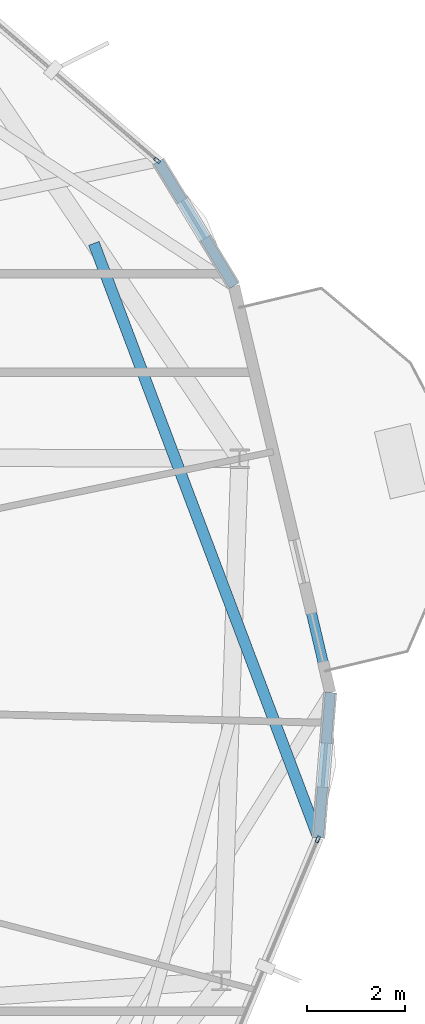
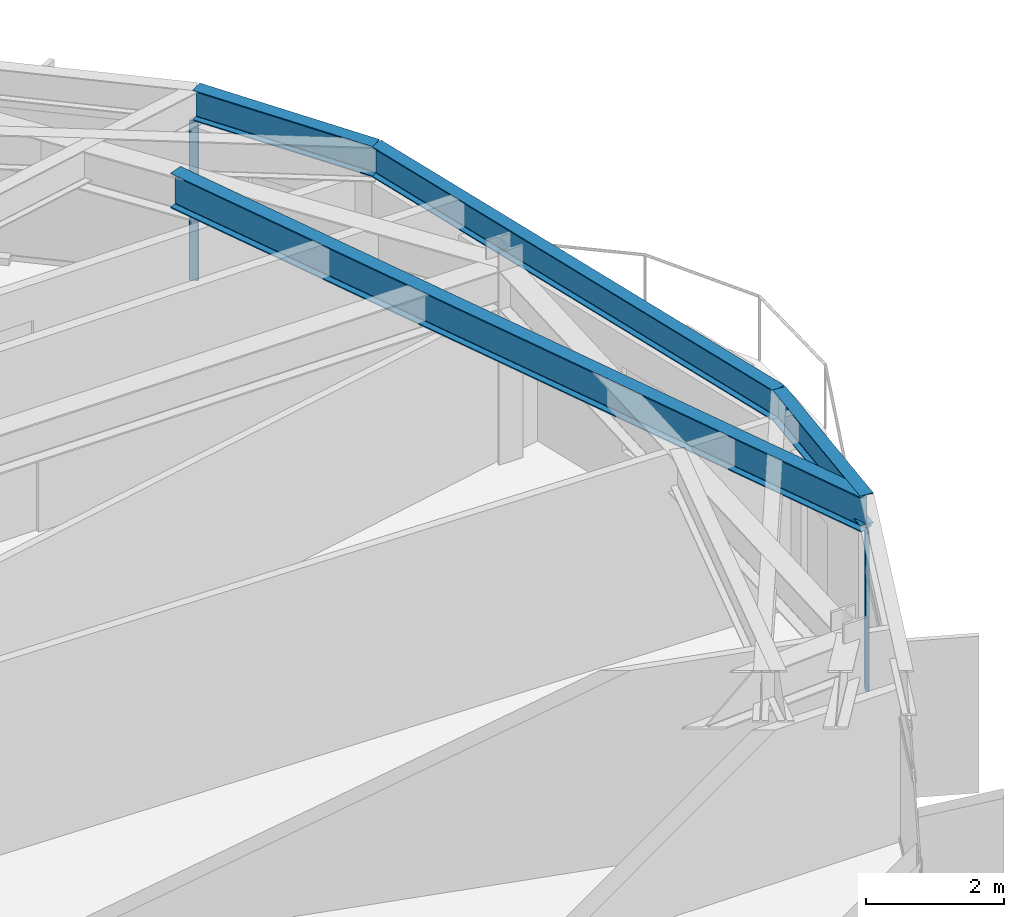
# One storey, part 12 of 23: 4 beams, 2 members, 2 elements without a shape of their own.
"""IFC4 building model written with IfcOpenShell, lengths in metres."""

from ifc_helpers import new_model, si_unit, direction, frame, origin, origin_2d, place, context, subcontext, project, spatial, hollow_rectangle, i_section, extrude, material, layer, layer_set, material_profile, profile_set, type_object, element, aggregate, save


model = new_model("IFC4")

# Units and contexts
model_context = context("Model", 3, precision=1e-05, world=origin(), true_north=direction((0.0, 1.0)))
body_context = subcontext(model_context, "Body", "Model", "MODEL_VIEW")
ifc_project = project(units=[si_unit("LENGTHUNIT", "METRE"), si_unit("AREAUNIT", "SQUARE_METRE"), si_unit("VOLUMEUNIT", "CUBIC_METRE"), si_unit("PLANEANGLEUNIT", "RADIAN"), si_unit("MASSUNIT", "GRAM", prefix="KILO")], contexts=[model_context])

# Site, building, storey
site_placement = place(None, origin())
site = spatial("IfcSite", under=ifc_project, at=site_placement, CompositionType="ELEMENT")
building_placement = place(site_placement, origin())
building = spatial("IfcBuilding", under=site, at=building_placement, Name="Soratama Intermodal Tower", CompositionType="ELEMENT")
storey_placement = place(building_placement, frame((0.0, 0.0, 280.0)))
storey = spatial("IfcBuildingStorey", under=building, at=storey_placement, Name="L71", CompositionType="ELEMENT", Elevation=280.0)

# Beams
ifc_material_1 = material(Name="Structural steel ASTM A992 Grade 50", Category="steel")
ifc_material_profile_1 = material_profile(ifc_material_1, i_section(OverallWidth=0.2099609375, OverallDepth=0.537109375, WebThickness=0.010986328125, FlangeThickness=0.017333984375, FilletRadius=0.012939453125, at=origin_2d()), Name="W21X68")
ifc_profile_set_1 = profile_set([ifc_material_profile_1], Name="Structural steel ASTM A992 Grade 50")
beam_type_1 = type_object("IfcBeamType", Name="BM-SPN-W21X68", PredefinedType="SPANDREL", material=ifc_profile_set_1)
beam_1_placement = place(storey_placement, frame((63.135986328125, 22.027099609375, 3.1416015625), z_axis=(0.081553869603, 0.99666893518, 0.0), x_axis=(-0.99666893518, 0.081553869603, 0.0)))
element("IfcBeam", 1, at=beam_1_placement, inside=storey, type_object=beam_type_1, Name="BS-L71-CRN08", PredefinedType="SPANDREL", context=body_context, shape_type="SweptSolid", body=[
    extrude(i_section(OverallWidth=0.2099609375, OverallDepth=0.537109375, WebThickness=0.010986328125, FlangeThickness=0.017333984375, FilletRadius=0.012939453125, at=origin_2d()), origin(), (0.0, 0.0, 1.0), 2.966552734375),
])
beam_2_placement = place(storey_placement, frame((63.3779296875, 24.98388671875, 3.1416015625), z_axis=(-0.230364747515, 0.973104353655, 0.0), x_axis=(-0.973104353655, -0.230364747515, 0.0)))
element("IfcBeam", 2, at=beam_2_placement, inside=storey, type_object=beam_type_1, Name="BS-L71-F09", PredefinedType="SPANDREL", context=body_context, shape_type="SweptSolid", body=[
    extrude(i_section(OverallWidth=0.2099609375, OverallDepth=0.537109375, WebThickness=0.010986328125, FlangeThickness=0.017333984375, FilletRadius=0.012939453125, at=origin_2d()), origin(), (0.0, 0.0, 1.0), 8.49951171875),
])
beam_3_placement = place(storey_placement, frame((61.419921875, 33.2548828125, 3.1416015625), z_axis=(-0.519811172565, 0.854281186072, 0.0), x_axis=(-0.854281186072, -0.519811172565, 0.0)))
element("IfcBeam", 3, at=beam_3_placement, inside=storey, type_object=beam_type_1, Name="BS-L71-CRN09", PredefinedType="SPANDREL", context=body_context, shape_type="SweptSolid", body=[
    extrude(i_section(OverallWidth=0.2099609375, OverallDepth=0.537109375, WebThickness=0.010986328125, FlangeThickness=0.017333984375, FilletRadius=0.012939453125, at=origin_2d()), origin(), (0.0, 0.0, 1.0), 2.966552734375),
])
ifc_material_2 = material(Name="Structural steel ASTM A992 Grade 50", Category="steel")
ifc_material_profile_2 = material_profile(ifc_material_2, i_section(OverallWidth=0.22900390625, OverallDepth=0.612060546875, WebThickness=0.011962890625, FlangeThickness=0.01953125, FilletRadius=0.012939453125, at=origin_2d()), Name="W24X84")
ifc_profile_set_2 = profile_set([ifc_material_profile_2], Name="Structural steel ASTM A992 Grade 50")
beam_type_2 = type_object("IfcBeamType", Name="BM-TIE-W24X84", PredefinedType="BEAM", material=ifc_profile_set_2)
beam_4_placement = place(storey_placement, frame((58.568115234375, 34.12109375, 3.10400390625), z_axis=(0.353334830093, -0.935496925619, 0.0), x_axis=(0.935496925619, 0.353334830093, 0.0)))
element("IfcBeam", 4, at=beam_4_placement, inside=storey, type_object=beam_type_2, Name="BM-L71-TIE1-08", PredefinedType="BEAM", context=body_context, shape_type="SweptSolid", body=[
    extrude(i_section(OverallWidth=0.22900390625, OverallDepth=0.612060546875, WebThickness=0.011962890625, FlangeThickness=0.01953125, FilletRadius=0.012939453125, at=origin_2d()), origin(), (0.0, 0.0, 1.0), 12.927978515625),
])

# Curtain wall, member
ifc_material_3 = material(Name="Double-glazed aluminium curtain wall", Category="aluminium")
ifc_layer = layer(ifc_material_3, 0.159912109375)
ifc_layer_set = layer_set([ifc_layer], Name="Double-glazed aluminium curtain wall")
curtain_wall_type = type_object("IfcCurtainWallType", Name="CW-SYS-5", PredefinedType="NOTDEFINED", material=ifc_layer_set)
curtain_wall_1_placement = place(storey_placement, origin())
curtain_wall_1 = element("IfcCurtainWall", 5, at=curtain_wall_1_placement, inside=storey, type_object=curtain_wall_type, Name="L71 Faceted Curtain Wall F08", PredefinedType="NOTDEFINED")
ifc_material_4 = material(Name="Anodised aluminium AA 6063-T6", Category="aluminium")
ifc_material_profile_3 = material_profile(ifc_material_4, hollow_rectangle(XDim=0.06494140625, YDim=0.139892578125, WallThickness=0.0048828125, InnerFilletRadius=0.0048828125, OuterFilletRadius=0.010009765625, at=origin_2d()), Name="CWM140X65X5")
ifc_profile_set_3 = profile_set([ifc_material_profile_3], Name="Anodised aluminium AA 6063-T6")
member_type = type_object("IfcMemberType", Name="MT-CWM-5", PredefinedType="MULLION", material=ifc_profile_set_3)
member_1_placement = place(storey_placement, frame((63.12451171875, 21.99951171875, 0.0), z_axis=(0.0, 0.0, 1.0), x_axis=(-0.922673346842, 0.385582539838, 0.0)))
member_1 = element("IfcMember", 6, at=member_1_placement, type_object=member_type, Name="CW-5 mullion 2", PredefinedType="MULLION", context=body_context, shape_type="SweptSolid", body=[
    extrude(hollow_rectangle(XDim=0.06494140625, YDim=0.139892578125, WallThickness=0.0048828125, InnerFilletRadius=0.0048828125, OuterFilletRadius=0.010009765625, at=origin_2d()), origin(), (0.0, 0.0, 1.0), 2.7890625),
])
aggregate(curtain_wall_1, [member_1])

curtain_wall_2_placement = place(storey_placement, origin())
curtain_wall_2 = element("IfcCurtainWall", 7, at=curtain_wall_2_placement, inside=storey, type_object=curtain_wall_type, Name="L71 Faceted Curtain Wall F10", PredefinedType="NOTDEFINED")
member_2_placement = place(storey_placement, frame((59.85498046875, 35.808837890625, 0.0), z_axis=(0.0, 0.0, 1.0), x_axis=(-0.651825531412, -0.758368958093, 0.0)))
member_2 = element("IfcMember", 8, at=member_2_placement, type_object=member_type, Name="CW-5 mullion 1", PredefinedType="MULLION", context=body_context, shape_type="SweptSolid", body=[
    extrude(hollow_rectangle(XDim=0.06494140625, YDim=0.139892578125, WallThickness=0.0048828125, InnerFilletRadius=0.0048828125, OuterFilletRadius=0.010009765625, at=origin_2d()), origin(), (0.0, 0.0, 1.0), 2.7890625),
])
aggregate(curtain_wall_2, [member_2])

save(model, "model.ifc")
